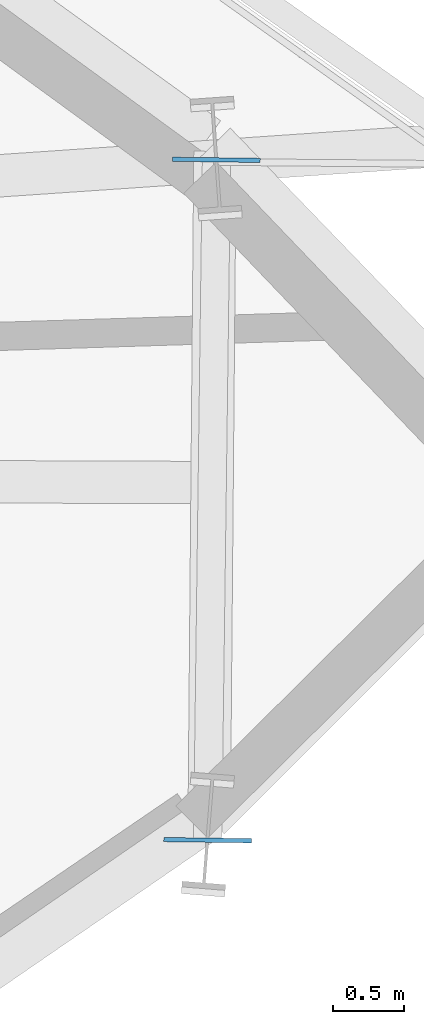
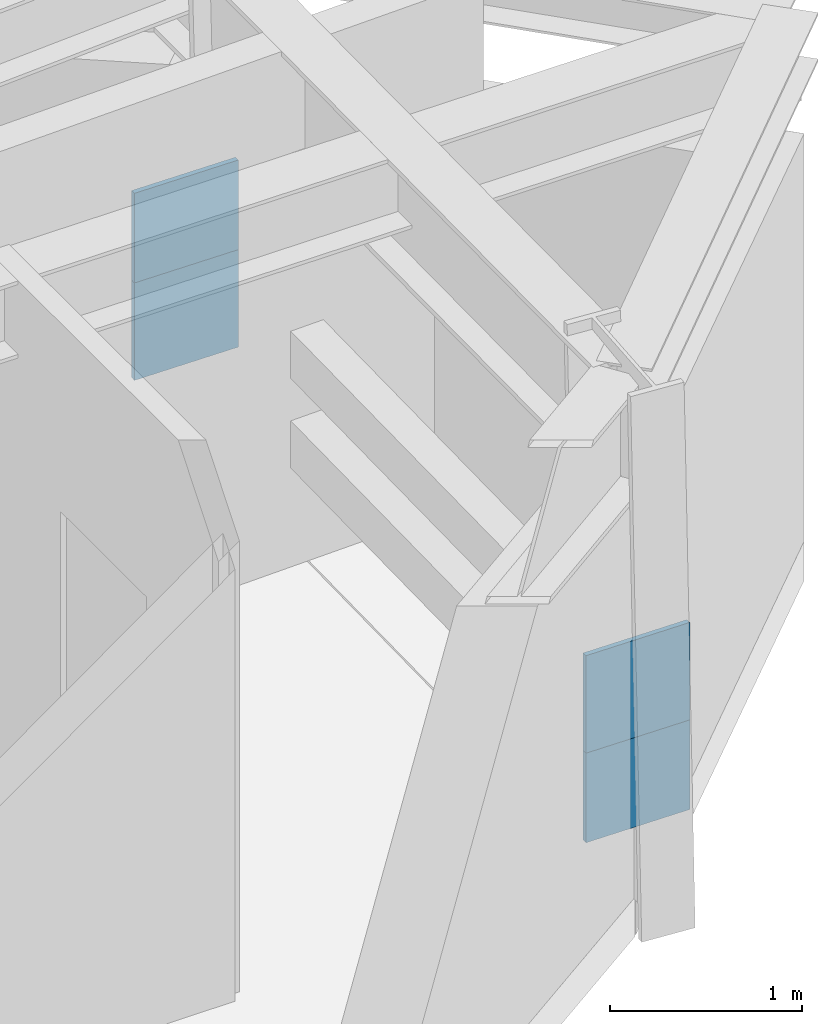
# One storey, part 14 of 23: 4 plates.
"""IFC4 building model written with IfcOpenShell, lengths in metres."""

from ifc_helpers import new_model, si_unit, direction, frame, origin, origin_2d, place, context, subcontext, project, spatial, rectangle, extrude, source, transform, mapped, material, type_object, element, save


model = new_model("IFC4")

# Units and contexts
model_context = context("Model", 3, precision=1e-05, world=origin(), true_north=direction((0.0, 1.0)))
body_context = subcontext(model_context, "Body", "Model", "MODEL_VIEW")
ifc_project = project(units=[si_unit("LENGTHUNIT", "METRE"), si_unit("AREAUNIT", "SQUARE_METRE"), si_unit("VOLUMEUNIT", "CUBIC_METRE"), si_unit("PLANEANGLEUNIT", "RADIAN"), si_unit("MASSUNIT", "GRAM", prefix="KILO")], contexts=[model_context])

# Site, building, storey
site_placement = place(None, origin())
site = spatial("IfcSite", under=ifc_project, at=site_placement, CompositionType="ELEMENT")
building_placement = place(site_placement, origin())
building = spatial("IfcBuilding", under=site, at=building_placement, Name="Olszyna Solenne Hotel", CompositionType="ELEMENT")
storey_placement = place(building_placement, frame((0.0, 0.0, 32.85009765625)))
storey = spatial("IfcBuildingStorey", under=building, at=storey_placement, Name="L07", CompositionType="ELEMENT", Elevation=32.85009765625)

# Plates
ifc_material = material(Name="Steel S460M", Category="steel")
plate_type = type_object("IfcPlateType", Name="GP-CAP2", PredefinedType="USERDEFINED", material=ifc_material)
shared_shape = source(origin(), body_context, "Body", "SweptSolid", [
    extrude(rectangle(XDim=0.030029296875, YDim=0.6201171875, at=origin_2d()), origin(), (0.0, 0.0, 1.0), 0.6201171875),
])
for number, where, z_axis, x_axis, name in (
    (1, (68.912353515625, 23.9599609375, 1.039794921875), (0.0, 0.0, 1.0), (0.013089595571, 0.999914327574, 0.0), "Hollow section end-cap plate GP-CAP2 CP-PR-M-L07-PR1-1"),
    (2, (68.97509765625, 28.7744140625, 1.039794921875), (0.0, 0.0, 1.0), (0.013089595571, 0.999914327574, 0.0), "Hollow section end-cap plate GP-CAP2 CP-PR-M-L07-PR1-2"),
    (3, (68.912353515625, 23.9599609375, 0.4697265625), (0.0, 0.0, 1.0), (0.013089595571, 0.999914327574, 0.0), "Hollow section end-cap plate GP-CAP2 CP-PR-M-L07-PR2-1"),
    (4, (68.97509765625, 28.7744140625, 0.4697265625), (0.0, 0.0, 1.0), (0.013089595571, 0.999914327574, 0.0), "Hollow section end-cap plate GP-CAP2 CP-PR-M-L07-PR2-2"),
):
    element("IfcPlate", number, at=place(storey_placement, frame(where, z_axis=z_axis, x_axis=x_axis)), inside=storey, type_object=plate_type, Name=name, ObjectType="GUSSET_PLATE", PredefinedType="USERDEFINED", context=body_context, shape_type="MappedRepresentation", body=[
        mapped(shared_shape, transform((0.0, 0.0, 0.0), x_axis=(1.0, 0.0, 0.0), y_axis=(0.0, 1.0, 0.0), z_axis=(0.0, 0.0, 1.0), scale=1.0)),
    ])

save(model, "model.ifc")
